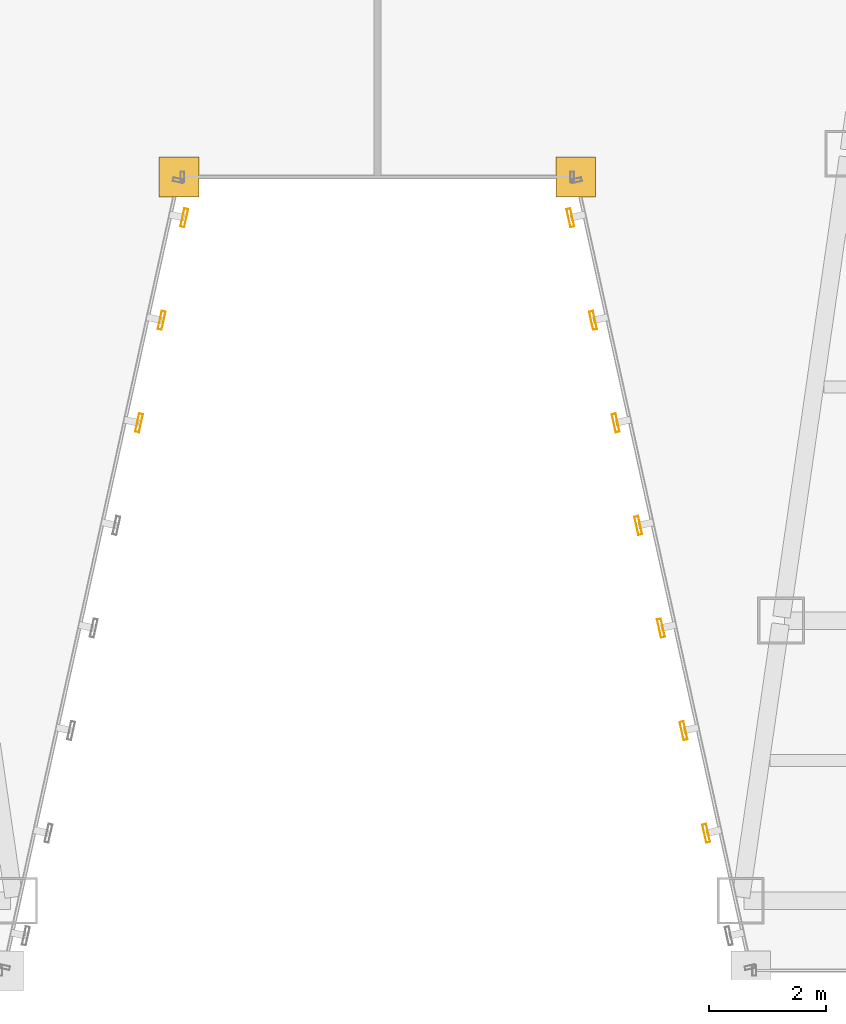
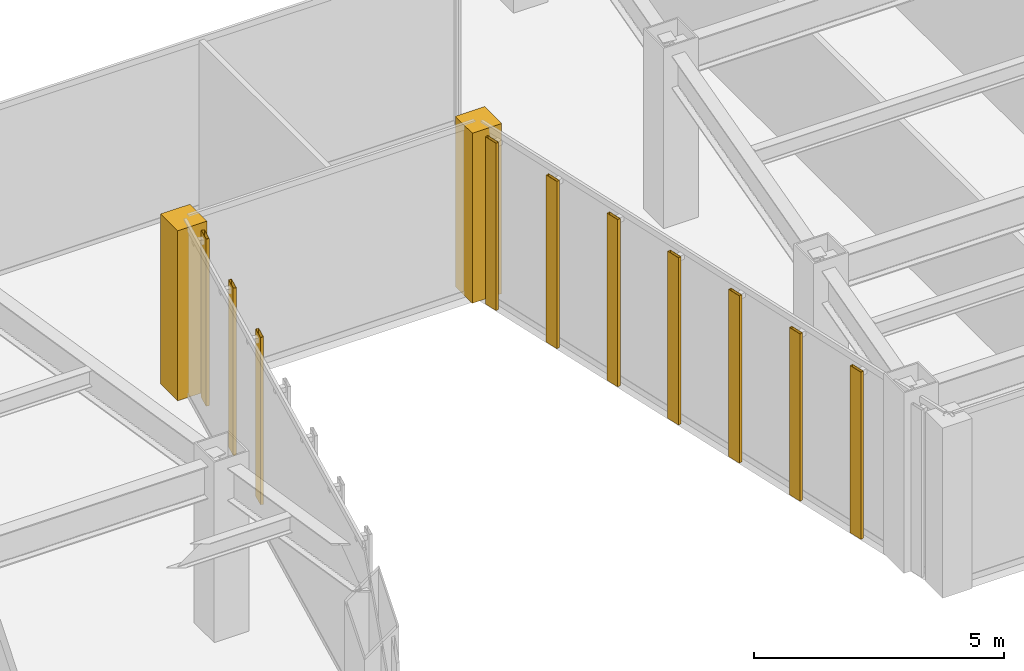
# One storey, part 42 of 47: 10 shading devices, 2 coverings.
"""IFC4 building model written with IfcOpenShell, lengths in metres."""

from ifc_helpers import new_model, si_unit, direction, frame, origin, origin_2d, place, context, subcontext, project, spatial, polyline, hollow_rectangle, outline, extrude, material, layer, layer_set, material_profile, profile_set, type_object, element, save


model = new_model("IFC4")

# Units and contexts
model_context = context("Model", 3, precision=1e-05, world=origin(), true_north=direction((0.0, 1.0)))
body_context = subcontext(model_context, "Body", "Model", "MODEL_VIEW")
ifc_project = project(units=[si_unit("LENGTHUNIT", "METRE"), si_unit("AREAUNIT", "SQUARE_METRE"), si_unit("VOLUMEUNIT", "CUBIC_METRE"), si_unit("PLANEANGLEUNIT", "RADIAN"), si_unit("MASSUNIT", "GRAM", prefix="KILO")], contexts=[model_context])

# Site, building, storey
site_placement = place(None, origin())
site = spatial("IfcSite", under=ifc_project, at=site_placement, CompositionType="ELEMENT")
building_placement = place(site_placement, origin())
building = spatial("IfcBuilding", under=site, at=building_placement, Name="Saevonmaru Cultural Tower", CompositionType="ELEMENT")
storey_placement = place(building_placement, frame((0.0, 0.0, 92.800048828125)))
storey = spatial("IfcBuildingStorey", under=building, at=storey_placement, Name="L19", CompositionType="ELEMENT", Elevation=92.800048828125)

# Coverings
ifc_material = material(Name="Satin Bronze Anodised Aluminium", Category="aluminium")
ifc_layer = layer(ifc_material, 0.679931640625, Name="Satin Bronze Anodised Aluminium")
ifc_layer_set = layer_set([ifc_layer], Name="Satin Bronze Anodised Aluminium")
covering_type = type_object("IfcCoveringType", Name="CV-CORNER-CLAD", PredefinedType="CLADDING", material=ifc_layer_set)
covering_1_placement = place(storey_placement, origin())
element("IfcCovering", 1, at=covering_1_placement, inside=storey, type_object=covering_type, Name="L19 Tower Bronze Corner Cladding Pier 4", PredefinedType="CLADDING", context=body_context, shape_type="SweptSolid", body=[
    extrude(outline(polyline([(26.260009765625, 15.260009765625), (26.93994140625, 15.260009765625), (26.93994140625, 15.93994140625), (26.260009765625, 15.93994140625), (26.260009765625, 15.260009765625)])), origin(), (0.0, 0.0, 1.0), 4.14990234375),
])
covering_2_placement = place(storey_placement, origin())
element("IfcCovering", 2, at=covering_2_placement, inside=storey, type_object=covering_type, Name="L19 Tower Bronze Corner Cladding Pier 5", PredefinedType="CLADDING", context=body_context, shape_type="SweptSolid", body=[
    extrude(outline(polyline([(33.06005859375, 15.260009765625), (33.739990234375, 15.260009765625), (33.739990234375, 15.93994140625), (33.06005859375, 15.93994140625), (33.06005859375, 15.260009765625)])), origin(), (0.0, 0.0, 1.0), 4.14990234375),
])

# Shading devices
ifc_material_profile = material_profile(ifc_material, hollow_rectangle(XDim=0.070068359375, YDim=0.320068359375, WallThickness=0.0048828125, at=origin_2d()), Name="FIN-320x70")
ifc_profile_set = profile_set([ifc_material_profile], Name="Satin Bronze Anodised Aluminium")
shading_device_type = type_object("IfcShadingDeviceType", Name="SHD-FIN-320", PredefinedType="JALOUSIE", material=ifc_profile_set)
for number, where, z_axis, x_axis, name in (
    (3, (25.916015625, 11.385009765625, 0.050048828125), (0.0, 0.0, 1.0), (0.976522126798, -0.215417120661, 0.0), "L19 Art Deco Sawtooth Bronze Fin E3-06"),
    (4, (26.3037109375, 13.142578125, 0.050048828125), (0.0, 0.0, 1.0), (0.976522126798, -0.215417120661, 0.0), "L19 Art Deco Sawtooth Bronze Fin E3-07"),
    (5, (26.69140625, 14.900390625, 0.050048828125), (0.0, 0.0, 1.0), (0.976522126798, -0.215417120661, 0.0), "L19 Art Deco Sawtooth Bronze Fin E3-08"),
    (6, (33.30859375, 14.900390625, 0.050048828125), (0.0, 0.0, 1.0), (-0.976522126798, -0.215417120661, 0.0), "L19 Art Deco Sawtooth Bronze Fin E5-01"),
    (7, (33.6962890625, 13.142578125, 0.050048828125), (0.0, 0.0, 1.0), (-0.976522126798, -0.215417120661, 0.0), "L19 Art Deco Sawtooth Bronze Fin E5-02"),
    (8, (34.083984375, 11.385009765625, 0.050048828125), (0.0, 0.0, 1.0), (-0.976522126798, -0.215417120661, 0.0), "L19 Art Deco Sawtooth Bronze Fin E5-03"),
    (9, (34.4716796875, 9.627197265625, 0.050048828125), (0.0, 0.0, 1.0), (-0.976522126798, -0.215417120661, 0.0), "L19 Art Deco Sawtooth Bronze Fin E5-04"),
    (10, (34.859619140625, 7.869384765625, 0.050048828125), (0.0, 0.0, 1.0), (-0.976522126798, -0.215417120661, 0.0), "L19 Art Deco Sawtooth Bronze Fin E5-05"),
    (11, (35.247314453125, 6.11181640625, 0.050048828125), (0.0, 0.0, 1.0), (-0.976522126798, -0.215417120661, 0.0), "L19 Art Deco Sawtooth Bronze Fin E5-06"),
    (12, (35.635009765625, 4.35400390625, 0.050048828125), (0.0, 0.0, 1.0), (-0.976522126798, -0.215417120661, 0.0), "L19 Art Deco Sawtooth Bronze Fin E5-07"),
):
    element("IfcShadingDevice", number, at=place(storey_placement, frame(where, z_axis=z_axis, x_axis=x_axis)), inside=storey, type_object=shading_device_type, Name=name, PredefinedType="JALOUSIE", context=body_context, shape_type="SweptSolid", body=[
        extrude(hollow_rectangle(XDim=0.070068359375, YDim=0.320068359375, WallThickness=0.0048828125, at=origin_2d()), origin(), (0.0, 0.0, 1.0), 4.079833984375),
    ])

save(model, "model.ifc")
